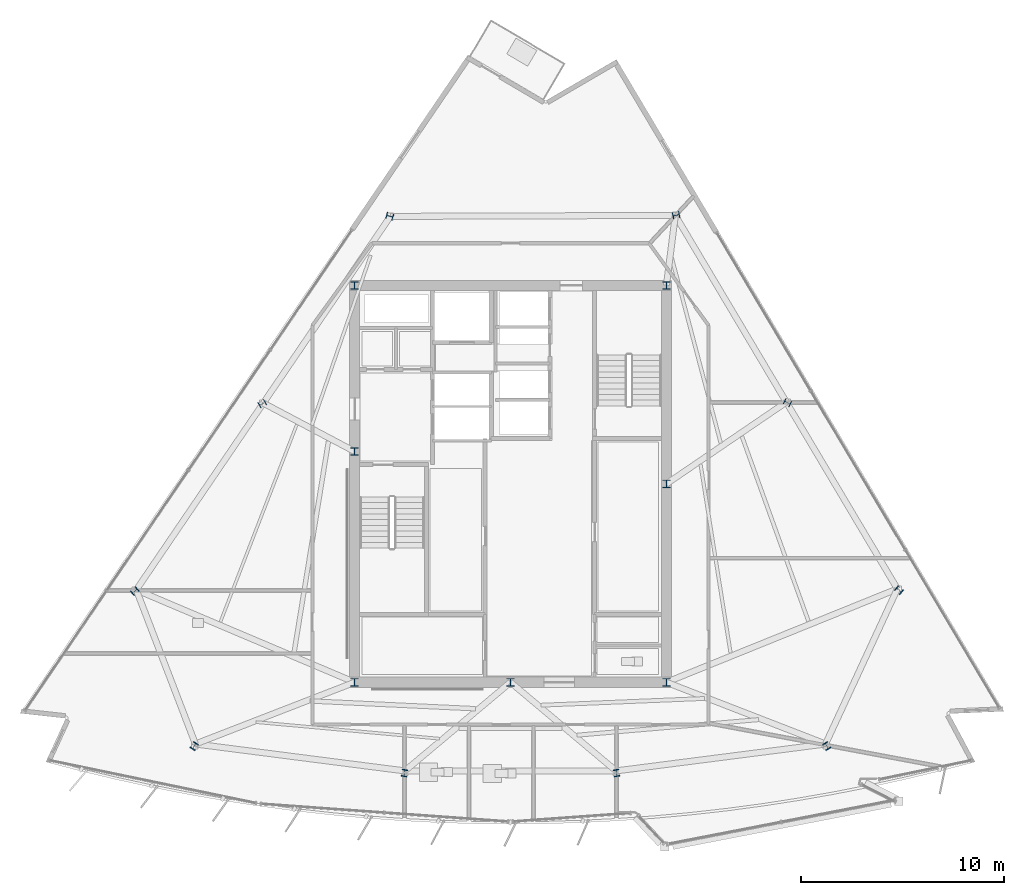
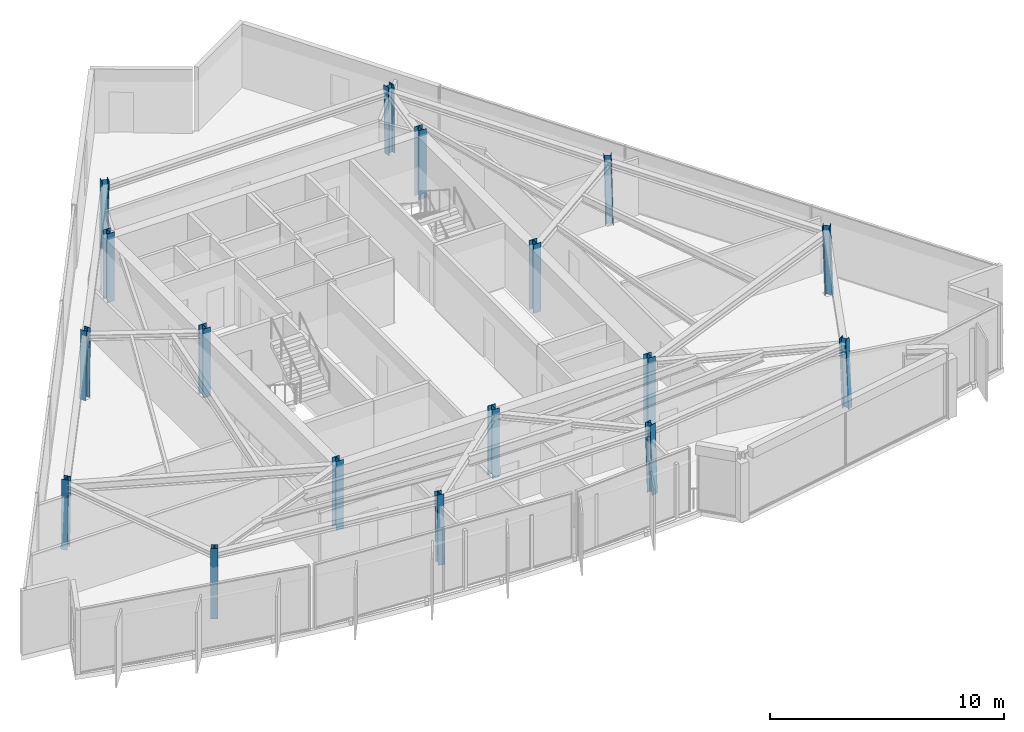
# One storey, part 1 of 13: 17 columns.
"""IFC4 building model written with IfcOpenShell, lengths in metres."""

from ifc_helpers import new_model, si_unit, direction, frame, origin, origin_2d, place, context, subcontext, project, spatial, i_section, extrude, material, material_profile, profile_set, type_object, element, save


model = new_model("IFC4")

# Units and contexts
model_context = context("Model", 3, precision=1e-05, world=origin(), true_north=direction((0.0, 1.0)))
body_context = subcontext(model_context, "Body", "Model", "MODEL_VIEW")
ifc_project = project(units=[si_unit("LENGTHUNIT", "METRE"), si_unit("AREAUNIT", "SQUARE_METRE"), si_unit("VOLUMEUNIT", "CUBIC_METRE"), si_unit("PLANEANGLEUNIT", "RADIAN"), si_unit("MASSUNIT", "GRAM", prefix="KILO")], contexts=[model_context])

# Site, building, storey
site_placement = place(None, origin())
site = spatial("IfcSite", under=ifc_project, at=site_placement, CompositionType="ELEMENT")
building_placement = place(site_placement, origin())
building = spatial("IfcBuilding", under=site, at=building_placement, Name="Savorim Split Tower", CompositionType="ELEMENT")
storey_placement = place(building_placement, frame((0.0, 0.0, 265.199951171875)))
storey = spatial("IfcBuildingStorey", under=building, at=storey_placement, Name="L70", CompositionType="ELEMENT", Elevation=265.199951171875)

# Columns
ifc_material = material(Name="Steel S355", Category="steel")
ifc_material_profile_1 = material_profile(ifc_material, i_section(OverallWidth=0.30908203125, OverallDepth=0.330078125, WebThickness=0.011474609375, FlangeThickness=0.01904296875, FilletRadius=0.027099609375, at=origin_2d()), Name="HD 320x158")
ifc_profile_set_1 = profile_set([ifc_material_profile_1], Name="Steel S355")
column_type_1 = type_object("IfcColumnType", Name="COL-HD-158", PredefinedType="COLUMN", material=ifc_profile_set_1)
column_1_placement = place(storey_placement, frame((-15.631591796875, -12.5673828125, 0.005615234375), z_axis=(0.020596292833, 0.033511459955, 0.999226087917), x_axis=(-0.851954850327, 0.523615252838, 0.0)))
element("IfcColumn", 1, at=column_1_placement, inside=storey, type_object=column_type_1, Name="L70 Tapered Perimeter Column PC-S1", PredefinedType="COLUMN", context=body_context, shape_type="SweptSolid", body=[
    extrude(i_section(OverallWidth=0.30908203125, OverallDepth=0.330078125, WebThickness=0.011474609375, FlangeThickness=0.01904296875, FilletRadius=0.027099609375, at=origin_2d()), origin(), (0.0, 0.0, 1.0), 3.591552734375),
])
for number, where, z_axis, x_axis, name in (
    (2, (-5.239013671875, -13.90185546875, 0.005615234375), (0.006934288159, 0.035283289748, 0.999353293441), (-0.981229659911, 0.192842823335, 0.0), "L70 Tapered Perimeter Column PC-S2"),
    (3, (5.239013671875, -13.90185546875, 0.005615234375), (-0.006934288159, 0.035283289748, 0.999353293441), (-0.981229659911, -0.192842823335, 0.0), "L70 Tapered Perimeter Column PC-S3"),
):
    element("IfcColumn", number, at=place(storey_placement, frame(where, z_axis=z_axis, x_axis=x_axis)), inside=storey, type_object=column_type_1, Name=name, PredefinedType="COLUMN", context=body_context, shape_type="SweptSolid", body=[
        extrude(i_section(OverallWidth=0.30908203125, OverallDepth=0.330078125, WebThickness=0.011474609375, FlangeThickness=0.01904296875, FilletRadius=0.027099609375, at=origin_2d()), origin(), (0.0, 0.0, 1.0), 3.59130859375),
    ])
column_2_placement = place(storey_placement, frame((15.631591796875, -12.5673828125, 0.005615234375), z_axis=(-0.020596292833, 0.033511459955, 0.999226087917), x_axis=(-0.851954850327, -0.523615252838, 0.0)))
element("IfcColumn", 4, at=column_2_placement, inside=storey, type_object=column_type_1, Name="L70 Tapered Perimeter Column PC-S4", PredefinedType="COLUMN", context=body_context, shape_type="SweptSolid", body=[
    extrude(i_section(OverallWidth=0.30908203125, OverallDepth=0.330078125, WebThickness=0.011474609375, FlangeThickness=0.01904296875, FilletRadius=0.027099609375, at=origin_2d()), origin(), (0.0, 0.0, 1.0), 3.591552734375),
])
column_3_placement = place(storey_placement, frame((19.197998046875, -4.863037109375, 0.005615234375), z_axis=(-0.026107436898, 0.021620221181, 0.999425318758), x_axis=(-0.637813971185, -0.770190455771, 0.0)))
element("IfcColumn", 5, at=column_3_placement, inside=storey, type_object=column_type_1, Name="L70 Tapered Perimeter Column PC-E1", PredefinedType="COLUMN", context=body_context, shape_type="SweptSolid", body=[
    extrude(i_section(OverallWidth=0.30908203125, OverallDepth=0.330078125, WebThickness=0.011474609375, FlangeThickness=0.01904296875, FilletRadius=0.027099609375, at=origin_2d()), origin(), (0.0, 0.0, 1.0), 3.5908203125),
])
column_4_placement = place(storey_placement, frame((13.689453125, 4.400634765625, 0.005615234375), z_axis=(-0.018907326549, 0.00952167524, 0.999775900241), x_axis=(-0.449781931574, -0.893138406984, 0.0)))
element("IfcColumn", 6, at=column_4_placement, inside=storey, type_object=column_type_1, Name="L70 Tapered Perimeter Column PC-E2", PredefinedType="COLUMN", context=body_context, shape_type="SweptSolid", body=[
    extrude(i_section(OverallWidth=0.30908203125, OverallDepth=0.330078125, WebThickness=0.011474609375, FlangeThickness=0.01904296875, FilletRadius=0.027099609375, at=origin_2d()), origin(), (0.0, 0.0, 1.0), 3.589599609375),
])
for number, where, z_axis, x_axis, name in (
    (7, (8.18115234375, 13.664306640625, 0.005615234375), (-0.011767855299, -0.002516824544, 0.999927588966), (0.209143047003, -0.977885057607, 0.0), "L70 Tapered Perimeter Column PC-E3"),
    (8, (-5.9638671875, 13.615478515625, 0.005615234375), (0.00877514453, -0.002516901919, 0.999958330153), (0.275705143097, 0.961242255662, 0.0), "L70 Tapered Perimeter Column PC-W1"),
):
    element("IfcColumn", number, at=place(storey_placement, frame(where, z_axis=z_axis, x_axis=x_axis)), inside=storey, type_object=column_type_1, Name=name, PredefinedType="COLUMN", context=body_context, shape_type="SweptSolid", body=[
        extrude(i_section(OverallWidth=0.30908203125, OverallDepth=0.330078125, WebThickness=0.011474609375, FlangeThickness=0.01904296875, FilletRadius=0.027099609375, at=origin_2d()), origin(), (0.0, 0.0, 1.0), 3.589111328125),
    ])
column_5_placement = place(storey_placement, frame((-12.265869140625, 4.351806640625, 0.005615234375), z_axis=(0.017071567417, 0.009521989794, 0.999808928394), x_axis=(-0.487119351792, 0.873335409284, 0.0)))
element("IfcColumn", 9, at=column_5_placement, inside=storey, type_object=column_type_1, Name="L70 Tapered Perimeter Column PC-W2", PredefinedType="COLUMN", context=body_context, shape_type="SweptSolid", body=[
    extrude(i_section(OverallWidth=0.30908203125, OverallDepth=0.330078125, WebThickness=0.011474609375, FlangeThickness=0.01904296875, FilletRadius=0.027099609375, at=origin_2d()), origin(), (0.0, 0.0, 1.0), 3.589599609375),
])
column_6_placement = place(storey_placement, frame((-18.567626953125, -4.911865234375, 0.005615234375), z_axis=(0.025224163578, 0.021620711639, 0.999447990843), x_axis=(-0.650791373456, 0.759256602365, 0.0)))
element("IfcColumn", 10, at=column_6_placement, inside=storey, type_object=column_type_1, Name="L70 Tapered Perimeter Column PC-W3", PredefinedType="COLUMN", context=body_context, shape_type="SweptSolid", body=[
    extrude(i_section(OverallWidth=0.30908203125, OverallDepth=0.330078125, WebThickness=0.011474609375, FlangeThickness=0.01904296875, FilletRadius=0.027099609375, at=origin_2d()), origin(), (0.0, 0.0, 1.0), 3.5908203125),
])
ifc_material_profile_2 = material_profile(ifc_material, i_section(OverallWidth=0.3740234375, OverallDepth=0.3720703125, WebThickness=0.01220703125, FlangeThickness=0.02001953125, FilletRadius=0.014892578125, at=origin_2d()), Name="HD 360x196")
ifc_profile_set_2 = profile_set([ifc_material_profile_2], Name="Steel S355")
column_type_2 = type_object("IfcColumnType", Name="COL-HD-196", PredefinedType="COLUMN", material=ifc_profile_set_2)
for number, where, z_axis, x_axis, name in (
    (11, (-7.699951171875, -9.39990234375, 0.0), (0.0, 0.0, 1.0), (1.0, 0.0, 0.0), "L70 Core Structural Column TC-C1"),
    (12, (7.699951171875, -9.39990234375, 0.0), (0.0, 0.0, 1.0), (1.0, 0.0, 0.0), "L70 Core Structural Column TC-C2"),
    (13, (7.699951171875, 10.199951171875, 0.0), (0.0, 0.0, 1.0), (1.0, 0.0, 0.0), "L70 Core Structural Column TC-C3"),
    (14, (-7.699951171875, 10.199951171875, 0.0), (0.0, 0.0, 1.0), (1.0, 0.0, 0.0), "L70 Core Structural Column TC-C4"),
    (15, (0.0, -9.39990234375, 0.0), (0.0, 0.0, 1.0), (1.0, 0.0, 0.0), "L70 Core Structural Column TC-C5"),
    (16, (7.699951171875, 0.39990234375, 0.0), (0.0, 0.0, 1.0), (1.0, 0.0, 0.0), "L70 Core Structural Column TC-C6"),
    (17, (-7.699951171875, 2.0, 0.0), (0.0, 0.0, 1.0), (1.0, 0.0, 0.0), "L70 Core Structural Column TC-C7"),
):
    element("IfcColumn", number, at=place(storey_placement, frame(where, z_axis=z_axis, x_axis=x_axis)), inside=storey, type_object=column_type_2, Name=name, PredefinedType="COLUMN", context=body_context, shape_type="SweptSolid", body=[
        extrude(i_section(OverallWidth=0.3740234375, OverallDepth=0.3720703125, WebThickness=0.01220703125, FlangeThickness=0.02001953125, FilletRadius=0.014892578125, at=origin_2d()), origin(), (0.0, 0.0, 1.0), 3.60009765625),
    ])

save(model, "model.ifc")
